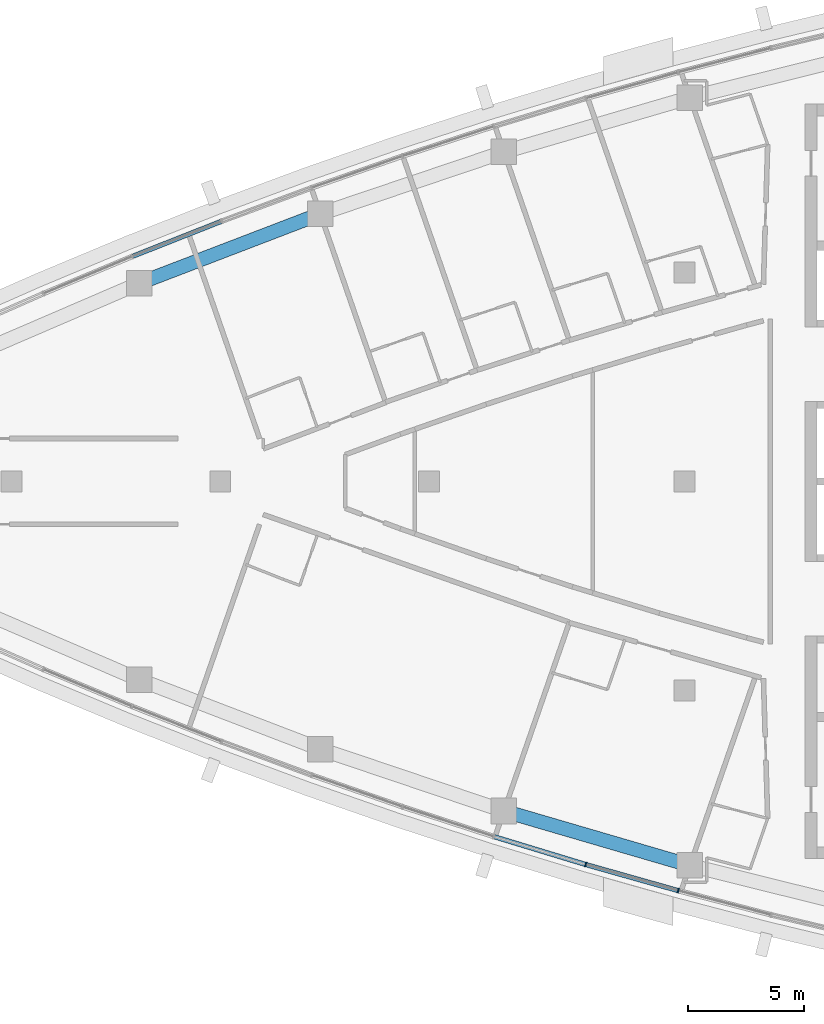
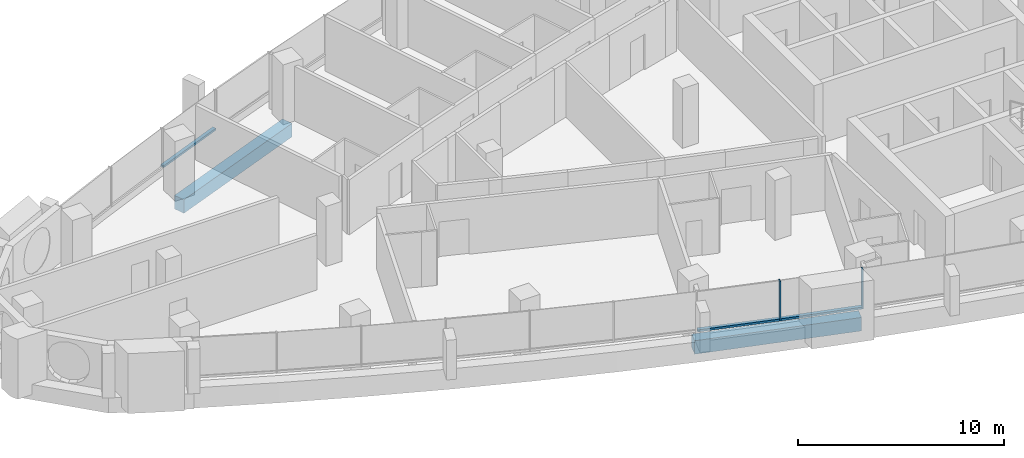
# One storey, part 3 of 14: 5 members, 2 beams, 2 elements without a shape of their own.
"""IFC4 building model written with IfcOpenShell, lengths in metres."""

from ifc_helpers import new_model, si_unit, direction, frame, origin, origin_2d, place, context, subcontext, project, spatial, rectangle, extrude, material, layer, layer_set, material_profile, profile_set, type_object, element, aggregate, save


model = new_model("IFC4")

# Units and contexts
model_context = context("Model", 3, precision=1e-05, world=origin(), true_north=direction((0.0, 1.0)))
body_context = subcontext(model_context, "Body", "Model", "MODEL_VIEW")
ifc_project = project(units=[si_unit("LENGTHUNIT", "METRE"), si_unit("AREAUNIT", "SQUARE_METRE"), si_unit("VOLUMEUNIT", "CUBIC_METRE"), si_unit("PLANEANGLEUNIT", "RADIAN"), si_unit("MASSUNIT", "GRAM", prefix="KILO")], contexts=[model_context])

# Site, building, storey
site_placement = place(None, origin())
site = spatial("IfcSite", under=ifc_project, at=site_placement, CompositionType="ELEMENT")
building_placement = place(site_placement, origin())
building = spatial("IfcBuilding", under=site, at=building_placement, Name="Ostrand Prow Hotel Tower", CompositionType="ELEMENT")
storey_placement = place(building_placement, frame((0.0, 0.0, 289.199951171875)))
storey = spatial("IfcBuildingStorey", under=building, at=storey_placement, Name="L73", CompositionType="ELEMENT", Elevation=289.199951171875)

# Beams
ifc_material_1 = material(Name="Concrete C50/60", Category="concrete")
ifc_material_profile_1 = material_profile(ifc_material_1, rectangle(XDim=0.60009765625, YDim=0.800048828125, at=origin_2d()), Name="RC 600x800")
ifc_profile_set_1 = profile_set([ifc_material_profile_1], Name="Concrete C50/60")
beam_type = type_object("IfcBeamType", Name="Edge beam 600x800 C50/60", PredefinedType="SPANDREL", material=ifc_profile_set_1)
for number, where, z_axis, x_axis, name in (
    (1, (37.22119140625, -14.19580078125, -0.699951171875), (0.959821966031, -0.280609681809, 0.0), (0.280609681809, 0.959821966031, 0.0), "Edge beam S4-S5"),
    (2, (29.31005859375, 11.528076171875, -0.699951171875), (-0.933761753797, -0.357895218111, 0.0), (0.357895218111, -0.933761753797, 0.0), "Edge beam N4-N5"),
):
    element("IfcBeam", number, at=place(storey_placement, frame(where, z_axis=z_axis, x_axis=x_axis)), inside=storey, type_object=beam_type, Name=name, PredefinedType="SPANDREL", context=body_context, shape_type="SweptSolid", body=[
        extrude(rectangle(XDim=0.60009765625, YDim=0.800048828125, at=origin_2d()), origin(), (0.0, 0.0, 1.0), 8.348876953125),
    ])

# Curtain wall, members
ifc_material_2 = material(Name="Insulated glass in bronze anodised frame", Category="glass")
ifc_layer = layer(ifc_material_2, 0.199951171875)
ifc_layer_set = layer_set([ifc_layer], Name="Insulated glass in bronze anodised frame")
curtain_wall_type = type_object("IfcCurtainWallType", Name="Strip curtain wall, fritted glass over bronze spandrel", PredefinedType="NOTDEFINED", material=ifc_layer_set)
curtain_wall_1_placement = place(storey_placement, origin())
curtain_wall_1 = element("IfcCurtainWall", 3, at=curtain_wall_1_placement, inside=storey, type_object=curtain_wall_type, Name="CW1 run CWS4", PredefinedType="NOTDEFINED")
ifc_material_3 = material(Name="Bronze anodised aluminium", Category="aluminium")
ifc_material_profile_2 = material_profile(ifc_material_3, rectangle(XDim=0.199951171875, YDim=0.06005859375, at=origin_2d()), Name="Mullion 60x200 bronze anodised aluminium")
ifc_profile_set_2 = profile_set([ifc_material_profile_2], Name="Bronze anodised aluminium")
member_type_1 = type_object("IfcMemberType", Name="Mullion 60x200 bronze anodised aluminium", PredefinedType="MULLION", material=ifc_profile_set_2)
member_1_placement = place(storey_placement, frame((40.744384765625, -16.502197265625, 0.900146484375), z_axis=(0.0, 0.0, 1.0), x_axis=(0.271648738865, 0.962396468548, 0.0)))
member_1 = element("IfcMember", 4, at=member_1_placement, type_object=member_type_1, Name="CW1 mullion 2", PredefinedType="MULLION", context=body_context, shape_type="SweptSolid", body=[
    extrude(rectangle(XDim=0.199951171875, YDim=0.06005859375, at=origin_2d()), origin(), (0.0, 0.0, 1.0), 2.349853515625),
])
member_2_placement = place(storey_placement, frame((44.728515625, -17.626708984375, 0.900146484375), z_axis=(0.0, 0.0, 1.0), x_axis=(0.271648738865, 0.962396468548, 0.0)))
member_2 = element("IfcMember", 5, at=member_2_placement, type_object=member_type_1, Name="CW1 mullion 3", PredefinedType="MULLION", context=body_context, shape_type="SweptSolid", body=[
    extrude(rectangle(XDim=0.199951171875, YDim=0.06005859375, at=origin_2d()), origin(), (0.0, 0.0, 1.0), 2.349853515625),
])
ifc_material_4 = material(Name="Bronze anodised aluminium", Category="aluminium")
ifc_material_profile_3 = material_profile(ifc_material_4, rectangle(XDim=0.199951171875, YDim=0.1201171875, at=origin_2d()), Name="Transom 120x200 bronze anodised aluminium")
ifc_profile_set_3 = profile_set([ifc_material_profile_3], Name="Bronze anodised aluminium")
member_type_2 = type_object("IfcMemberType", Name="Transom 120x200 bronze anodised aluminium", PredefinedType="USERDEFINED", material=ifc_profile_set_3)
member_3_placement = place(storey_placement, frame((36.8125, -15.306396484375, 0.9599609375), z_axis=(0.956739081124, -0.290947298751, 0.0), x_axis=(0.290947298751, 0.956739081124, 0.0)))
member_3 = element("IfcMember", 6, at=member_3_placement, type_object=member_type_2, Name="CW1 transom 1.1", ObjectType="TRANSOM", PredefinedType="USERDEFINED", context=body_context, shape_type="SweptSolid", body=[
    extrude(rectangle(XDim=0.199951171875, YDim=0.1201171875, at=origin_2d()), origin(), (0.0, 0.0, 1.0), 4.079833984375),
])
member_4_placement = place(storey_placement, frame((40.7734375, -16.51025390625, 0.9599609375), z_axis=(0.962386308628, -0.271684730828, 0.0), x_axis=(0.271684730828, 0.962386308628, 0.0)))
member_4 = element("IfcMember", 7, at=member_4_placement, type_object=member_type_2, Name="CW1 transom 2.1", ObjectType="TRANSOM", PredefinedType="USERDEFINED", context=body_context, shape_type="SweptSolid", body=[
    extrude(rectangle(XDim=0.199951171875, YDim=0.1201171875, at=origin_2d()), origin(), (0.0, 0.0, 1.0), 4.079833984375),
])
aggregate(curtain_wall_1, [member_1, member_2, member_3, member_4])

# Curtain wall, member
curtain_wall_2_placement = place(storey_placement, origin())
curtain_wall_2 = element("IfcCurtainWall", 8, at=curtain_wall_2_placement, inside=storey, type_object=curtain_wall_type, Name="CW1 run CWN4", PredefinedType="NOTDEFINED")
member_5_placement = place(storey_placement, frame((25.0302734375, 11.19921875, 0.9599609375), z_axis=(-0.930289613186, -0.366825892759, 0.0), x_axis=(0.366825892759, -0.930289613186, 0.0)))
member_5 = element("IfcMember", 9, at=member_5_placement, type_object=member_type_2, Name="CW1 transom 2.1", ObjectType="TRANSOM", PredefinedType="USERDEFINED", context=body_context, shape_type="SweptSolid", body=[
    extrude(rectangle(XDim=0.199951171875, YDim=0.1201171875, at=origin_2d()), origin(), (0.0, 0.0, 1.0), 4.079833984375),
])
aggregate(curtain_wall_2, [member_5])

save(model, "model.ifc")
